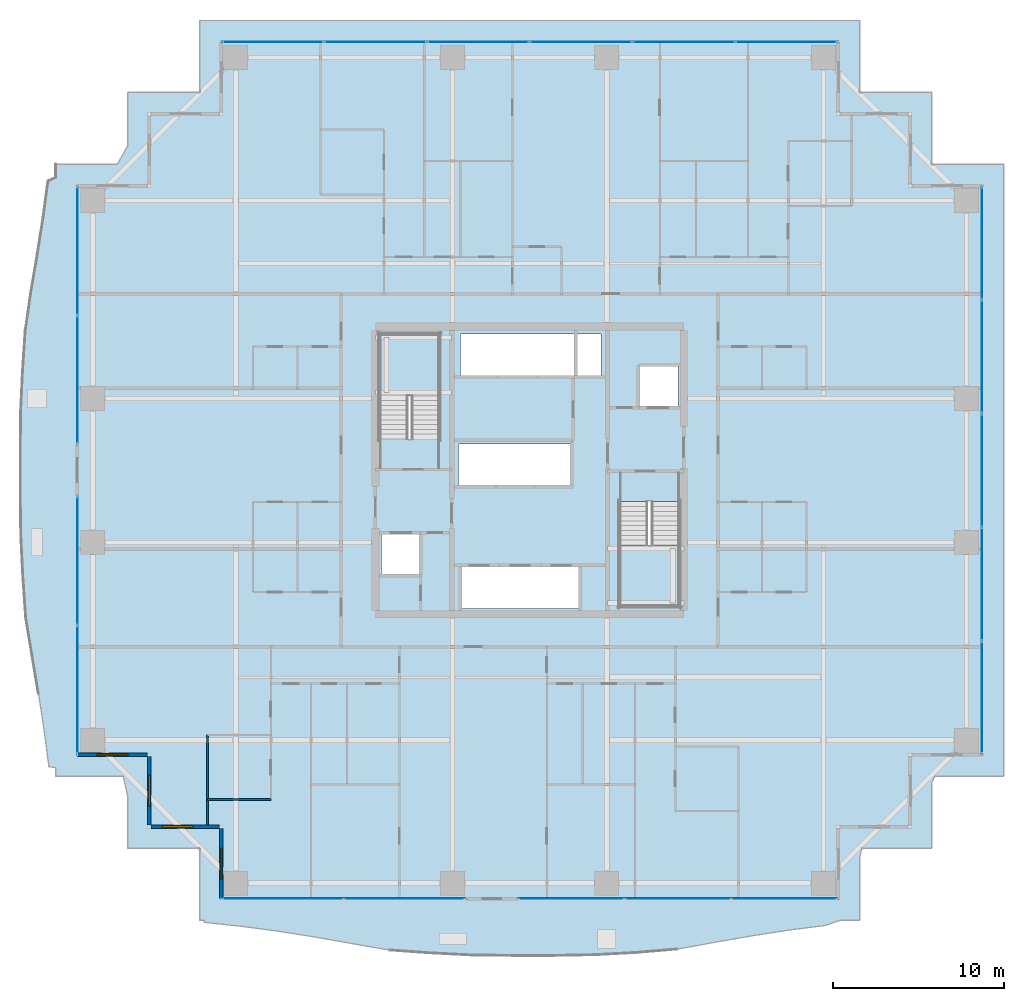
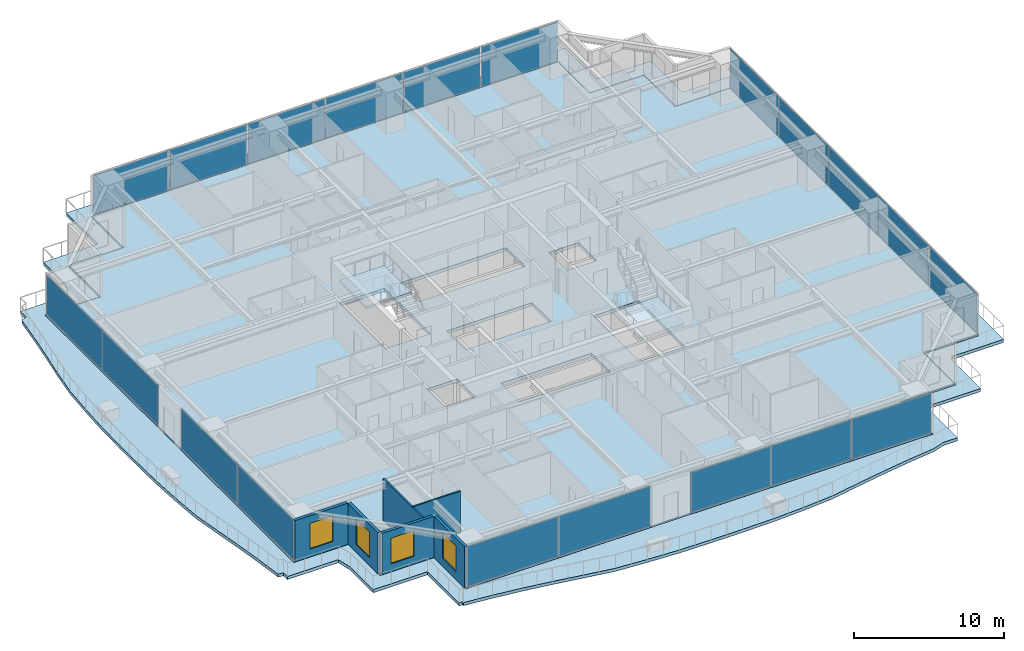
# One storey, part 26 of 40: 20 plates, 6 walls, 4 slabs, 4 windows, 4 openings, 8 elements without a shape of their own.
"""IFC4 building model written with IfcOpenShell, lengths in metres."""

from ifc_helpers import new_model, si_unit, direction, frame, frame_2d, origin, origin_2d, place, context, subcontext, project, spatial, polyline, rectangle, outline, extrude, source, transform, mapped, material, layer, layer_set, type_object, element, fill, aggregate, save


model = new_model("IFC4")

# Units and contexts
model_context = context("Model", 3, precision=1e-05, world=origin(), true_north=direction((0.0, 1.0)))
body_context = subcontext(model_context, "Body", "Model", "MODEL_VIEW")
ifc_project = project(units=[si_unit("LENGTHUNIT", "METRE"), si_unit("AREAUNIT", "SQUARE_METRE"), si_unit("VOLUMEUNIT", "CUBIC_METRE"), si_unit("PLANEANGLEUNIT", "RADIAN"), si_unit("MASSUNIT", "GRAM", prefix="KILO")], contexts=[model_context])

# Site, building, storey
site_placement = place(None, origin())
site = spatial("IfcSite", under=ifc_project, at=site_placement, CompositionType="ELEMENT")
building_placement = place(site_placement, origin())
building = spatial("IfcBuilding", under=site, at=building_placement, Name="Serunith Strait Residences", CompositionType="ELEMENT")
storey_placement = place(building_placement, frame((0.0, 0.0, 105.449951171875)))
storey = spatial("IfcBuildingStorey", under=building, at=storey_placement, Name="L26", CompositionType="ELEMENT", Elevation=105.449951171875)

# Slab
ifc_material_1 = material(Name="Concrete C50/60", Category="concrete")
ifc_layer_1 = layer(ifc_material_1, 0.239990234375, Name="Concrete C50/60")
ifc_layer_set_1 = layer_set([ifc_layer_1], Name="Concrete C50/60")
slab_type_1 = type_object("IfcSlabType", Name="SLB-BALC-240", PredefinedType="FLOOR", material=ifc_layer_set_1)
slab_1_placement = place(storey_placement, frame((0.0, 0.0, -0.2900390625)))
element("IfcSlab", 1, at=slab_1_placement, inside=storey, type_object=slab_type_1, Name="L26 Planted Vertical-Forest Balcony Slab", PredefinedType="FLOOR", context=body_context, shape_type="SweptSolid", body=[
    extrude(outline(polyline([(13.139892578125, 3.139892578125), (8.93994140625, 3.139892578125), (8.93994140625, 6.188720703125), (8.676513671875, 7.340087890625), (4.739990234375, 7.340087890625), (4.739990234375, 7.847412109375), (4.341552734375, 7.91162109375), (4.064208984375, 10.039306640625), (3.735107421875, 12.188720703125), (3.365234375, 14.376220703125), (2.995849609375, 16.623779296875), (2.835205078125, 18.975341796875), (2.716064453125, 21.3583984375), (2.679931640625, 23.76318359375), (2.679931640625, 26.1767578125), (2.701416015625, 28.584228515625), (2.812255859375, 30.971923828125), (2.966796875, 33.32958984375), (3.2958984375, 35.599609375), (3.670654296875, 37.79638671875), (4.008056640625, 39.95166015625), (4.294677734375, 42.082763671875), (4.739990234375, 42.286376953125), (4.739990234375, 43.06005859375), (8.331298828125, 43.06005859375), (8.93994140625, 44.126708984375), (8.93994140625, 47.260009765625), (13.139892578125, 47.260009765625), (13.139892578125, 51.4599609375), (51.659912109375, 51.4599609375), (51.659912109375, 47.260009765625), (55.860107421875, 47.260009765625), (55.860107421875, 43.06005859375), (60.06005859375, 43.06005859375), (60.06005859375, 7.340087890625), (56.041259765625, 7.340087890625), (55.860107421875, 6.9423828125), (55.860107421875, 3.139892578125), (51.796875, 3.139892578125), (51.659912109375, 2.62451171875), (51.659912109375, -1.06005859375), (50.50732421875, -1.06005859375), (49.679443359375, -1.356689453125), (47.557373046875, -1.626953125), (45.4169921875, -1.95654296875), (43.240234375, -2.3369140625), (41.006591796875, -2.743408203125), (38.6572265625, -2.94384765625), (36.264404296875, -3.0751953125), (33.845703125, -3.1201171875), (31.4169921875, -3.1201171875), (28.99560546875, -3.091796875), (26.59716796875, -2.96923828125), (24.2333984375, -2.800048828125), (21.98193359375, -2.409423828125), (19.7958984375, -2.0224609375), (17.650146484375, -1.68310546875), (15.525390625, -1.402099609375), (13.40771484375, -1.17822265625), (13.408447265625, -1.06005859375), (13.139892578125, -1.06005859375), (13.139892578125, 3.139892578125)]), holes=[polyline([(50.455078125, 0.14501953125), (50.455078125, 4.344970703125), (54.655029296875, 4.344970703125), (54.655029296875, 8.544921875), (58.85498046875, 8.544921875), (58.85498046875, 41.85498046875), (54.655029296875, 41.85498046875), (54.655029296875, 46.054931640625), (50.455078125, 46.054931640625), (50.455078125, 50.2548828125), (14.344970703125, 50.2548828125), (14.344970703125, 46.054931640625), (10.14501953125, 46.054931640625), (10.14501953125, 41.85498046875), (5.945068359375, 41.85498046875), (5.945068359375, 8.544921875), (10.14501953125, 8.544921875), (10.14501953125, 4.344970703125), (14.344970703125, 4.344970703125), (14.344970703125, 0.14501953125), (50.455078125, 0.14501953125)])]), origin(), (0.0, 0.0, 1.0), 0.239990234375),
])

# Stair, slab
stair_type_1 = type_object("IfcStairType", Name="STR-CORE-1", PredefinedType="HALF_TURN_STAIR", material=ifc_material_1)
stair_1_placement = place(storey_placement, origin())
stair_1 = element("IfcStair", 2, at=stair_1_placement, inside=storey, type_object=stair_type_1, Name="L26 Protected Escape Stair ST-1", PredefinedType="HALF_TURN_STAIR")
ifc_layer_2 = layer(ifc_material_1, 0.199951171875, Name="Concrete C50/60")
ifc_layer_set_2 = layer_set([ifc_layer_2], Name="Concrete C50/60")
slab_type_2 = type_object("IfcSlabType", Name="SLB-LAND-200", PredefinedType="LANDING", material=ifc_layer_set_2)
slab_2_placement = place(storey_placement, frame((0.0, 0.0, 1.675048828125)))
slab_2 = element("IfcSlab", 3, at=slab_2_placement, type_object=slab_type_2, Name="ST-1 landing 1", PredefinedType="LANDING", context=body_context, shape_type="SweptSolid", body=[
    extrude(outline(polyline([(27.14990234375, 29.550048828125), (27.14990234375, 33.14990234375), (23.64990234375, 33.14990234375), (23.64990234375, 29.550048828125), (27.14990234375, 29.550048828125)])), origin(), (0.0, 0.0, 1.0), 0.199951171875),
])
aggregate(stair_1, [slab_2])

stair_type_2 = type_object("IfcStairType", Name="STR-CORE-2", PredefinedType="HALF_TURN_STAIR", material=ifc_material_1)
stair_2_placement = place(storey_placement, origin())
stair_2 = element("IfcStair", 4, at=stair_2_placement, inside=storey, type_object=stair_type_2, Name="L26 Protected Escape Stair ST-2", PredefinedType="HALF_TURN_STAIR")
slab_3_placement = place(storey_placement, frame((0.0, 0.0, 1.675048828125)))
slab_3 = element("IfcSlab", 5, at=slab_3_placement, type_object=slab_type_2, Name="ST-2 landing 1", PredefinedType="LANDING", context=body_context, shape_type="SweptSolid", body=[
    extrude(outline(polyline([(37.64990234375, 20.85009765625), (37.64990234375, 17.25), (41.14990234375, 17.25), (41.14990234375, 20.85009765625), (37.64990234375, 20.85009765625)])), origin(), (0.0, 0.0, 1.0), 0.199951171875),
])
aggregate(stair_2, [slab_3])

# Slab
ifc_material_2 = material(Name="Concrete C60/75", Category="concrete")
ifc_layer_3 = layer(ifc_material_2, 0.260009765625, Name="Concrete C60/75")
ifc_layer_set_3 = layer_set([ifc_layer_3], Name="Concrete C60/75")
slab_type_3 = type_object("IfcSlabType", Name="SLB-TWR-260-Z1", PredefinedType="FLOOR", material=ifc_layer_set_3)
slab_4_placement = place(storey_placement, frame((0.0, 0.0, -0.260009765625)))
element("IfcSlab", 6, at=slab_4_placement, inside=storey, type_object=slab_type_3, Name="L26 Structural Floor Plate", PredefinedType="FLOOR", context=body_context, shape_type="SweptSolid", body=[
    extrude(outline(polyline([(14.39990234375, 4.39990234375), (10.199951171875, 4.39990234375), (10.199951171875, 8.60009765625), (6.0, 8.60009765625), (6.0, 41.800048828125), (10.199951171875, 41.800048828125), (10.199951171875, 46.0), (14.39990234375, 46.0), (14.39990234375, 50.199951171875), (50.39990234375, 50.199951171875), (50.39990234375, 46.0), (54.60009765625, 46.0), (54.60009765625, 41.800048828125), (58.800048828125, 41.800048828125), (58.800048828125, 8.60009765625), (54.60009765625, 8.60009765625), (54.60009765625, 4.39990234375), (50.39990234375, 4.39990234375), (50.39990234375, 0.199951171875), (14.39990234375, 0.199951171875), (14.39990234375, 4.39990234375)]), holes=[polyline([(41.14990234375, 17.25), (41.14990234375, 23.3701171875), (37.64990234375, 23.3701171875), (37.64990234375, 17.25), (41.14990234375, 17.25)]), polyline([(41.050048828125, 31.25), (38.75, 31.25), (38.75, 28.85009765625), (41.050048828125, 28.85009765625), (41.050048828125, 31.25)]), polyline([(36.550048828125, 33.14990234375), (28.35009765625, 33.14990234375), (28.35009765625, 30.64990234375), (36.550048828125, 30.64990234375), (36.550048828125, 33.14990234375)]), polyline([(28.35009765625, 19.64990234375), (28.35009765625, 17.14990234375), (35.35009765625, 17.14990234375), (35.35009765625, 19.64990234375), (28.35009765625, 19.64990234375)]), polyline([(34.85009765625, 26.75), (28.25, 26.75), (28.25, 24.25), (34.85009765625, 24.25), (34.85009765625, 26.75)]), polyline([(23.64990234375, 33.14990234375), (23.64990234375, 27.030029296875), (27.14990234375, 27.030029296875), (27.14990234375, 33.14990234375), (23.64990234375, 33.14990234375)]), polyline([(26.050048828125, 21.550048828125), (23.75, 21.550048828125), (23.75, 19.14990234375), (26.050048828125, 19.14990234375), (26.050048828125, 21.550048828125)])]), origin(), (0.0, 0.0, 1.0), 0.260009765625),
])

# Curtain wall, plates
ifc_material_3 = material(Name="Pale-Champagne Anodised Aluminium", Category="aluminium")
ifc_layer_4 = layer(ifc_material_3, 0.199951171875, Name="Pale-Champagne Anodised Aluminium")
ifc_layer_set_4 = layer_set([ifc_layer_4], Name="Pale-Champagne Anodised Aluminium")
curtain_wall_type = type_object("IfcCurtainWallType", Name="CW-SYS1", PredefinedType="NOTDEFINED", material=ifc_layer_set_4)
curtain_wall_1_placement = place(storey_placement, origin())
curtain_wall_1 = element("IfcCurtainWall", 7, at=curtain_wall_1_placement, inside=storey, type_object=curtain_wall_type, Name="L26 S Unitised Fritted Curtain Wall", PredefinedType="NOTDEFINED")
ifc_material_4 = material(Name="Ceramic-Fritted Low-E Double Glazing 28mm", Category="glass")
ifc_layer_5 = layer(ifc_material_4, 0.028076171875, Name="Ceramic-Fritted Low-E Double Glazing 28mm")
ifc_layer_set_5 = layer_set([ifc_layer_5], Name="Ceramic-Fritted Low-E Double Glazing 28mm")
plate_type = type_object("IfcPlateType", Name="CW-SYS1-PNL", PredefinedType="CURTAIN_PANEL", material=ifc_layer_set_5)
shared_shape_1 = source(origin(), body_context, "Body", "SweptSolid", [
    extrude(rectangle(XDim=7.044921875, YDim=0.028076171875, at=origin_2d()), origin(), (0.0, 0.0, 1.0), 3.2548828125),
])
plate_1_placement = place(storey_placement, frame((17.992431640625, 0.199951171875, 0.06005859375), z_axis=(0.0, 0.0, 1.0), x_axis=(1.0, 0.0, 0.0)))
plate_1 = element("IfcPlate", 8, at=plate_1_placement, type_object=plate_type, Name="CW-1 panel 1.1", PredefinedType="CURTAIN_PANEL", context=body_context, shape_type="MappedRepresentation", body=[
    mapped(shared_shape_1, transform((0.0, 0.0, 0.0), scale=1.0)),
])
plate_2_placement = place(storey_placement, frame((25.107421875, 0.199951171875, 0.06005859375), z_axis=(0.0, 0.0, 1.0), x_axis=(1.0, 0.0, 0.0)))
plate_2 = element("IfcPlate", 9, at=plate_2_placement, type_object=plate_type, Name="CW-1 panel 2.1", PredefinedType="CURTAIN_PANEL", context=body_context, shape_type="MappedRepresentation", body=[
    mapped(shared_shape_1, transform((0.0, 0.0, 0.0), scale=1.0)),
])
aggregate(curtain_wall_1, [plate_1, plate_2])

curtain_wall_2_placement = place(storey_placement, origin())
curtain_wall_2 = element("IfcCurtainWall", 10, at=curtain_wall_2_placement, inside=storey, type_object=curtain_wall_type, Name="L26 S Unitised Fritted Curtain Wall", PredefinedType="NOTDEFINED")
shared_shape_2 = source(origin(), body_context, "Body", "SweptSolid", [
    extrude(rectangle(XDim=6.12841796875, YDim=0.028076171875, at=origin_2d()), origin(), (0.0, 0.0, 1.0), 3.2548828125),
])
plate_3_placement = place(storey_placement, frame((34.834228515625, 0.199951171875, 0.06005859375), z_axis=(0.0, 0.0, 1.0), x_axis=(1.0, 0.0, 0.0)))
plate_3 = element("IfcPlate", 11, at=plate_3_placement, type_object=plate_type, Name="CW-1 panel 1.1", PredefinedType="CURTAIN_PANEL", context=body_context, shape_type="MappedRepresentation", body=[
    mapped(shared_shape_2, transform((0.0, 0.0, 0.0), scale=1.0)),
])
plate_4_placement = place(storey_placement, frame((47.265869140625, 0.199951171875, 0.06005859375), z_axis=(0.0, 0.0, 1.0), x_axis=(1.0, 0.0, 0.0)))
plate_4 = element("IfcPlate", 12, at=plate_4_placement, type_object=plate_type, Name="CW-1 panel 3.1", PredefinedType="CURTAIN_PANEL", context=body_context, shape_type="MappedRepresentation", body=[
    mapped(shared_shape_2, transform((0.0, 0.0, 0.0), scale=1.0)),
])
shared_shape_3 = source(origin(), body_context, "Body", "SweptSolid", [
    extrude(rectangle(XDim=6.163330078125, YDim=0.028076171875, at=origin_2d()), origin(), (0.0, 0.0, 1.0), 3.2548828125),
])
plate_5_placement = place(storey_placement, frame((41.050048828125, 0.199951171875, 0.06005859375), z_axis=(0.0, 0.0, 1.0), x_axis=(1.0, 0.0, 0.0)))
plate_5 = element("IfcPlate", 13, at=plate_5_placement, type_object=plate_type, Name="CW-1 panel 2.1", PredefinedType="CURTAIN_PANEL", context=body_context, shape_type="MappedRepresentation", body=[
    mapped(shared_shape_3, transform((0.0, 0.0, 0.0), scale=1.0)),
])
aggregate(curtain_wall_2, [plate_3, plate_5, plate_4])

curtain_wall_3_placement = place(storey_placement, origin())
curtain_wall_3 = element("IfcCurtainWall", 14, at=curtain_wall_3_placement, inside=storey, type_object=curtain_wall_type, Name="L26 E Unitised Fritted Curtain Wall", PredefinedType="NOTDEFINED")
shared_shape_4 = source(origin(), body_context, "Body", "SweptSolid", [
    extrude(rectangle(XDim=6.534912109375, YDim=0.028076171875, at=origin_2d()), origin(), (0.0, 0.0, 1.0), 3.2548828125),
])
plate_6_placement = place(storey_placement, frame((58.800048828125, 11.9375, 0.06005859375), z_axis=(0.0, 0.0, 1.0), x_axis=(0.0, 1.0, 0.0)))
plate_6 = element("IfcPlate", 15, at=plate_6_placement, type_object=plate_type, Name="CW-1 panel 1.1", PredefinedType="CURTAIN_PANEL", context=body_context, shape_type="MappedRepresentation", body=[
    mapped(shared_shape_4, transform((0.0, 0.0, 0.0), scale=1.0)),
])
plate_7_placement = place(storey_placement, frame((58.800048828125, 38.46240234375, 0.06005859375), z_axis=(0.0, 0.0, 1.0), x_axis=(0.0, 1.0, 0.0)))
plate_7 = element("IfcPlate", 16, at=plate_7_placement, type_object=plate_type, Name="CW-1 panel 5.1", PredefinedType="CURTAIN_PANEL", context=body_context, shape_type="MappedRepresentation", body=[
    mapped(shared_shape_4, transform((0.0, 0.0, 0.0), scale=1.0)),
])
shared_shape_5 = source(origin(), body_context, "Body", "SweptSolid", [
    extrude(rectangle(XDim=6.570068359375, YDim=0.028076171875, at=origin_2d()), origin(), (0.0, 0.0, 1.0), 3.2548828125),
])
plate_8_placement = place(storey_placement, frame((58.800048828125, 18.56005859375, 0.06005859375), z_axis=(0.0, 0.0, 1.0), x_axis=(0.0, 1.0, 0.0)))
plate_8 = element("IfcPlate", 17, at=plate_8_placement, type_object=plate_type, Name="CW-1 panel 2.1", PredefinedType="CURTAIN_PANEL", context=body_context, shape_type="MappedRepresentation", body=[
    mapped(shared_shape_5, transform((0.0, 0.0, 0.0), scale=1.0)),
])
plate_9_placement = place(storey_placement, frame((58.800048828125, 25.199951171875, 0.06005859375), z_axis=(0.0, 0.0, 1.0), x_axis=(0.0, 1.0, 0.0)))
plate_9 = element("IfcPlate", 18, at=plate_9_placement, type_object=plate_type, Name="CW-1 panel 3.1", PredefinedType="CURTAIN_PANEL", context=body_context, shape_type="MappedRepresentation", body=[
    mapped(shared_shape_5, transform((0.0, 0.0, 0.0), scale=1.0)),
])
plate_10_placement = place(storey_placement, frame((58.800048828125, 31.840087890625, 0.06005859375), z_axis=(0.0, 0.0, 1.0), x_axis=(0.0, 1.0, 0.0)))
plate_10 = element("IfcPlate", 19, at=plate_10_placement, type_object=plate_type, Name="CW-1 panel 4.1", PredefinedType="CURTAIN_PANEL", context=body_context, shape_type="MappedRepresentation", body=[
    mapped(shared_shape_5, transform((0.0, 0.0, 0.0), scale=1.0)),
])
aggregate(curtain_wall_3, [plate_6, plate_8, plate_9, plate_10, plate_7])

curtain_wall_4_placement = place(storey_placement, origin())
curtain_wall_4 = element("IfcCurtainWall", 20, at=curtain_wall_4_placement, inside=storey, type_object=curtain_wall_type, Name="L26 N Unitised Fritted Curtain Wall", PredefinedType="NOTDEFINED")
shared_shape_6 = source(origin(), body_context, "Body", "SweptSolid", [
    extrude(rectangle(XDim=5.89501953125, YDim=0.028076171875, at=origin_2d()), origin(), (0.0, 0.0, 1.0), 3.2548828125),
])
plate_11_placement = place(storey_placement, frame((47.382568359375, 50.199951171875, 0.06005859375), z_axis=(0.0, 0.0, 1.0), x_axis=(-1.0, 0.0, 0.0)))
plate_11 = element("IfcPlate", 21, at=plate_11_placement, type_object=plate_type, Name="CW-1 panel 1.1", PredefinedType="CURTAIN_PANEL", context=body_context, shape_type="MappedRepresentation", body=[
    mapped(shared_shape_6, transform((0.0, 0.0, 0.0), scale=1.0)),
])
plate_12_placement = place(storey_placement, frame((17.41748046875, 50.199951171875, 0.06005859375), z_axis=(0.0, 0.0, 1.0), x_axis=(-1.0, 0.0, 0.0)))
plate_12 = element("IfcPlate", 22, at=plate_12_placement, type_object=plate_type, Name="CW-1 panel 6.1", PredefinedType="CURTAIN_PANEL", context=body_context, shape_type="MappedRepresentation", body=[
    mapped(shared_shape_6, transform((0.0, 0.0, 0.0), scale=1.0)),
])
shared_shape_7 = source(origin(), body_context, "Body", "SweptSolid", [
    extrude(rectangle(XDim=5.929931640625, YDim=0.028076171875, at=origin_2d()), origin(), (0.0, 0.0, 1.0), 3.2548828125),
])
plate_13_placement = place(storey_placement, frame((41.39990234375, 50.199951171875, 0.06005859375), z_axis=(0.0, 0.0, 1.0), x_axis=(-1.0, 0.0, 0.0)))
plate_13 = element("IfcPlate", 23, at=plate_13_placement, type_object=plate_type, Name="CW-1 panel 2.1", PredefinedType="CURTAIN_PANEL", context=body_context, shape_type="MappedRepresentation", body=[
    mapped(shared_shape_7, transform((0.0, 0.0, 0.0), scale=1.0)),
])
plate_14_placement = place(storey_placement, frame((35.39990234375, 50.199951171875, 0.06005859375), z_axis=(0.0, 0.0, 1.0), x_axis=(-1.0, 0.0, 0.0)))
plate_14 = element("IfcPlate", 24, at=plate_14_placement, type_object=plate_type, Name="CW-1 panel 3.1", PredefinedType="CURTAIN_PANEL", context=body_context, shape_type="MappedRepresentation", body=[
    mapped(shared_shape_7, transform((0.0, 0.0, 0.0), scale=1.0)),
])
plate_15_placement = place(storey_placement, frame((29.39990234375, 50.199951171875, 0.06005859375), z_axis=(0.0, 0.0, 1.0), x_axis=(-1.0, 0.0, 0.0)))
plate_15 = element("IfcPlate", 25, at=plate_15_placement, type_object=plate_type, Name="CW-1 panel 4.1", PredefinedType="CURTAIN_PANEL", context=body_context, shape_type="MappedRepresentation", body=[
    mapped(shared_shape_7, transform((0.0, 0.0, 0.0), scale=1.0)),
])
plate_16_placement = place(storey_placement, frame((23.39990234375, 50.199951171875, 0.06005859375), z_axis=(0.0, 0.0, 1.0), x_axis=(-1.0, 0.0, 0.0)))
plate_16 = element("IfcPlate", 26, at=plate_16_placement, type_object=plate_type, Name="CW-1 panel 5.1", PredefinedType="CURTAIN_PANEL", context=body_context, shape_type="MappedRepresentation", body=[
    mapped(shared_shape_7, transform((0.0, 0.0, 0.0), scale=1.0)),
])
aggregate(curtain_wall_4, [plate_11, plate_13, plate_14, plate_15, plate_16, plate_12])

curtain_wall_5_placement = place(storey_placement, origin())
curtain_wall_5 = element("IfcCurtainWall", 27, at=curtain_wall_5_placement, inside=storey, type_object=curtain_wall_type, Name="L26 W Unitised Fritted Curtain Wall", PredefinedType="NOTDEFINED")
shared_shape_8 = source(origin(), body_context, "Body", "SweptSolid", [
    extrude(rectangle(XDim=7.445068359375, YDim=0.028076171875, at=origin_2d()), origin(), (0.0, 0.0, 1.0), 3.2548828125),
])
plate_17_placement = place(storey_placement, frame((6.0, 38.007568359375, 0.06005859375), z_axis=(0.0, 0.0, 1.0), x_axis=(0.0, -1.0, 0.0)))
plate_17 = element("IfcPlate", 28, at=plate_17_placement, type_object=plate_type, Name="CW-1 panel 1.1", PredefinedType="CURTAIN_PANEL", context=body_context, shape_type="MappedRepresentation", body=[
    mapped(shared_shape_8, transform((0.0, 0.0, 0.0), scale=1.0)),
])
plate_18_placement = place(storey_placement, frame((6.0, 30.492431640625, 0.06005859375), z_axis=(0.0, 0.0, 1.0), x_axis=(0.0, -1.0, 0.0)))
plate_18 = element("IfcPlate", 29, at=plate_18_placement, type_object=plate_type, Name="CW-1 panel 2.1", PredefinedType="CURTAIN_PANEL", context=body_context, shape_type="MappedRepresentation", body=[
    mapped(shared_shape_8, transform((0.0, 0.0, 0.0), scale=1.0)),
])
aggregate(curtain_wall_5, [plate_17, plate_18])

curtain_wall_6_placement = place(storey_placement, origin())
curtain_wall_6 = element("IfcCurtainWall", 30, at=curtain_wall_6_placement, inside=storey, type_object=curtain_wall_type, Name="L26 W Unitised Fritted Curtain Wall", PredefinedType="NOTDEFINED")
plate_19_placement = place(storey_placement, frame((6.0, 19.907470703125, 0.06005859375), z_axis=(0.0, 0.0, 1.0), x_axis=(0.0, -1.0, 0.0)))
plate_19 = element("IfcPlate", 31, at=plate_19_placement, type_object=plate_type, Name="CW-1 panel 1.1", PredefinedType="CURTAIN_PANEL", context=body_context, shape_type="MappedRepresentation", body=[
    mapped(shared_shape_8, transform((0.0, 0.0, 0.0), scale=1.0)),
])
plate_20_placement = place(storey_placement, frame((6.0, 12.392578125, 0.06005859375), z_axis=(0.0, 0.0, 1.0), x_axis=(0.0, -1.0, 0.0)))
plate_20 = element("IfcPlate", 32, at=plate_20_placement, type_object=plate_type, Name="CW-1 panel 2.1", PredefinedType="CURTAIN_PANEL", context=body_context, shape_type="MappedRepresentation", body=[
    mapped(shared_shape_8, transform((0.0, 0.0, 0.0), scale=1.0)),
])
aggregate(curtain_wall_6, [plate_19, plate_20])

# Wall, opening, window
ifc_material_5 = material(Name="Pale-Champagne Aluminium Insulated Panel", Category="aluminium")
ifc_layer_6 = layer(ifc_material_5, 0.219970703125, Name="Pale-Champagne Aluminium Insulated Panel")
ifc_layer_set_6 = layer_set([ifc_layer_6], Name="Pale-Champagne Aluminium Insulated Panel")
wall_type_1 = type_object("IfcWallType", Name="EW-ALUM-220", PredefinedType="ELEMENTEDWALL", material=ifc_layer_set_6)
wall_1_placement = place(storey_placement, frame((6.0, 8.60009765625, 0.0), z_axis=(0.0, 0.0, 1.0), x_axis=(1.0, 0.0, 0.0)))
wall_1 = element("IfcWall", 33, at=wall_1_placement, inside=storey, type_object=wall_type_1, Name="L26 Girih Serrated Corner Wall 17", PredefinedType="ELEMENTEDWALL", context=body_context, shape_type="SweptSolid", body=[
    extrude(rectangle(XDim=4.090087890625, YDim=0.219970703125, at=frame_2d((2.044921875, 0.0))), origin(), (0.0, 0.0, 1.0), 3.375),
])
opening_1_placement = place(wall_1_placement, frame((1.14501953125, 0.0, 0.64990234375)))
opening_1 = element("IfcOpeningElement", 34, at=opening_1_placement, cuts=wall_1, Name="Opening W-01", PredefinedType="OPENING", context=body_context, shape_type="SweptSolid", body=[
    extrude(rectangle(XDim=1.800048828125, YDim=2.10009765625, at=frame_2d((0.89990234375, 1.050048828125))), frame((0.0, 0.1201171875, 0.0), z_axis=(0.0, -1.0, 0.0), x_axis=(1.0, 0.0, 0.0)), (0.0, 0.0, 1.0), 0.239990234375),
])
ifc_material_6 = material(Name="Ceramic-Fritted Operable Aluminium Window Glass", Category="aluminium")
window_type = type_object("IfcWindowType", Name="WIN-C1", PartitioningType="DOUBLE_PANEL_VERTICAL", PredefinedType="WINDOW", material=ifc_material_6)
shared_shape_9 = source(origin(), body_context, "Body", "SweptSolid", [
    extrude(rectangle(XDim=1.800048828125, YDim=2.10009765625, at=frame_2d((0.89990234375, 1.050048828125))), frame((0.0, 0.030029296875, 0.0), z_axis=(0.0, -1.0, 0.0), x_axis=(1.0, 0.0, 0.0)), (0.0, 0.0, 1.0), 0.06005859375),
])
window_1_placement = place(opening_1_placement, origin())
window_1 = element("IfcWindow", 35, at=window_1_placement, inside=storey, type_object=window_type, Name="L26 Corner Operable Fritted Window 17", OverallHeight=2.10009765625, OverallWidth=1.800048828125, PartitioningType="SINGLE_PANEL", PredefinedType="WINDOW", context=body_context, shape_type="MappedRepresentation", body=[
    mapped(shared_shape_9, transform((0.0, 0.0, 0.0), scale=1.0)),
])
fill(opening_1, window_1)

wall_2_placement = place(storey_placement, frame((10.199951171875, 8.489990234375, 0.0), z_axis=(0.0, 0.0, 1.0), x_axis=(0.0, -1.0, 0.0)))
wall_2 = element("IfcWall", 36, at=wall_2_placement, inside=storey, type_object=wall_type_1, Name="L26 Girih Serrated Corner Wall 18", PredefinedType="ELEMENTEDWALL", context=body_context, shape_type="SweptSolid", body=[
    extrude(rectangle(XDim=3.97998046875, YDim=0.219970703125, at=frame_2d((1.989990234375, 0.0))), origin(), (0.0, 0.0, 1.0), 3.375),
])
opening_2_placement = place(wall_2_placement, frame((1.090087890625, 0.0, 0.64990234375)))
opening_2 = element("IfcOpeningElement", 37, at=opening_2_placement, cuts=wall_2, Name="Opening W-01", PredefinedType="OPENING", context=body_context, shape_type="SweptSolid", body=[
    extrude(rectangle(XDim=1.800048828125, YDim=2.10009765625, at=frame_2d((0.89990234375, 1.050048828125))), frame((0.0, 0.1201171875, 0.0), z_axis=(0.0, -1.0, 0.0), x_axis=(1.0, 0.0, 0.0)), (0.0, 0.0, 1.0), 0.239990234375),
])
window_2_placement = place(opening_2_placement, origin())
window_2 = element("IfcWindow", 38, at=window_2_placement, inside=storey, type_object=window_type, Name="L26 Corner Operable Fritted Window 18", OverallHeight=2.10009765625, OverallWidth=1.800048828125, PartitioningType="SINGLE_PANEL", PredefinedType="WINDOW", context=body_context, shape_type="MappedRepresentation", body=[
    mapped(shared_shape_9, transform((0.0, 0.0, 0.0), scale=1.0)),
])
fill(opening_2, window_2)

wall_3_placement = place(storey_placement, frame((10.31005859375, 4.39990234375, 0.0), z_axis=(0.0, 0.0, 1.0), x_axis=(1.0, 0.0, 0.0)))
wall_3 = element("IfcWall", 39, at=wall_3_placement, inside=storey, type_object=wall_type_1, Name="L26 Girih Serrated Corner Wall 19", PredefinedType="ELEMENTEDWALL", context=body_context, shape_type="SweptSolid", body=[
    extrude(rectangle(XDim=3.97998046875, YDim=0.219970703125, at=frame_2d((1.989990234375, 0.0))), origin(), (0.0, 0.0, 1.0), 3.375),
])
opening_3_placement = place(wall_3_placement, frame((0.654052734375, 0.0, 0.64990234375)))
opening_3 = element("IfcOpeningElement", 40, at=opening_3_placement, cuts=wall_3, Name="Opening W-01", PredefinedType="OPENING", context=body_context, shape_type="SweptSolid", body=[
    extrude(rectangle(XDim=1.800048828125, YDim=2.10009765625, at=frame_2d((0.89990234375, 1.050048828125))), frame((0.0, 0.1201171875, 0.0), z_axis=(0.0, -1.0, 0.0), x_axis=(1.0, 0.0, 0.0)), (0.0, 0.0, 1.0), 0.239990234375),
])
window_3_placement = place(opening_3_placement, origin())
window_3 = element("IfcWindow", 41, at=window_3_placement, inside=storey, type_object=window_type, Name="L26 Corner Operable Fritted Window 19", OverallHeight=2.10009765625, OverallWidth=1.800048828125, PartitioningType="SINGLE_PANEL", PredefinedType="WINDOW", context=body_context, shape_type="MappedRepresentation", body=[
    mapped(shared_shape_9, transform((0.0, 0.0, 0.0), scale=1.0)),
])
fill(opening_3, window_3)

wall_4_placement = place(storey_placement, frame((14.39990234375, 4.2900390625, 0.0), z_axis=(0.0, 0.0, 1.0), x_axis=(0.0, -1.0, 0.0)))
wall_4 = element("IfcWall", 42, at=wall_4_placement, inside=storey, type_object=wall_type_1, Name="L26 Girih Serrated Corner Wall 20", PredefinedType="ELEMENTEDWALL", context=body_context, shape_type="SweptSolid", body=[
    extrude(rectangle(XDim=4.090087890625, YDim=0.219970703125, at=frame_2d((2.044921875, 0.0))), origin(), (0.0, 0.0, 1.0), 3.375),
])
opening_4_placement = place(wall_4_placement, frame((1.14501953125, 0.0, 0.64990234375)))
opening_4 = element("IfcOpeningElement", 43, at=opening_4_placement, cuts=wall_4, Name="Opening W-01", PredefinedType="OPENING", context=body_context, shape_type="SweptSolid", body=[
    extrude(rectangle(XDim=1.800048828125, YDim=2.10009765625, at=frame_2d((0.89990234375, 1.050048828125))), frame((0.0, 0.1201171875, 0.0), z_axis=(0.0, -1.0, 0.0), x_axis=(1.0, 0.0, 0.0)), (0.0, 0.0, 1.0), 0.239990234375),
])
window_4_placement = place(opening_4_placement, origin())
window_4 = element("IfcWindow", 44, at=window_4_placement, inside=storey, type_object=window_type, Name="L26 Corner Operable Fritted Window 20", OverallHeight=2.10009765625, OverallWidth=1.800048828125, PartitioningType="SINGLE_PANEL", PredefinedType="WINDOW", context=body_context, shape_type="MappedRepresentation", body=[
    mapped(shared_shape_9, transform((0.0, 0.0, 0.0), scale=1.0)),
])
fill(opening_4, window_4)

# Walls
ifc_material_7 = material(Name="Lightweight steel-stud gypsum partition", Category="steel")
ifc_layer_7 = layer(ifc_material_7, 0.1201171875, Name="Lightweight steel-stud gypsum partition")
ifc_layer_set_7 = layer_set([ifc_layer_7], Name="Lightweight steel-stud gypsum partition")
wall_type_2 = type_object("IfcWallType", Name="IW-PART-120", PredefinedType="PARTITIONING", material=ifc_layer_set_7)
wall_5_placement = place(storey_placement, frame((13.60009765625, 5.97802734375, 0.0), z_axis=(0.0, 0.0, 1.0), x_axis=(1.0, 0.0, 0.0)))
element("IfcWall", 45, at=wall_5_placement, inside=storey, type_object=wall_type_2, Name="L26 Partition Wall 035", PredefinedType="PARTITIONING", context=body_context, shape_type="SweptSolid", body=[
    extrude(rectangle(XDim=3.699951171875, YDim=0.1201171875, at=frame_2d((1.85009765625, 0.0))), origin(), (0.0, 0.0, 1.0), 3.39013671875),
])
wall_6_placement = place(storey_placement, frame((13.60009765625, 4.4951171875, 0.0), z_axis=(0.0, 0.0, 1.0), x_axis=(0.0, 1.0, 0.0)))
element("IfcWall", 46, at=wall_6_placement, inside=storey, type_object=wall_type_2, Name="L26 Partition Wall 036", PredefinedType="PARTITIONING", context=body_context, shape_type="SweptSolid", body=[
    extrude(rectangle(XDim=5.266845703125, YDim=0.1201171875, at=frame_2d((2.63330078125, 0.0))), origin(), (0.0, 0.0, 1.0), 3.39013671875),
])

save(model, "model.ifc")
